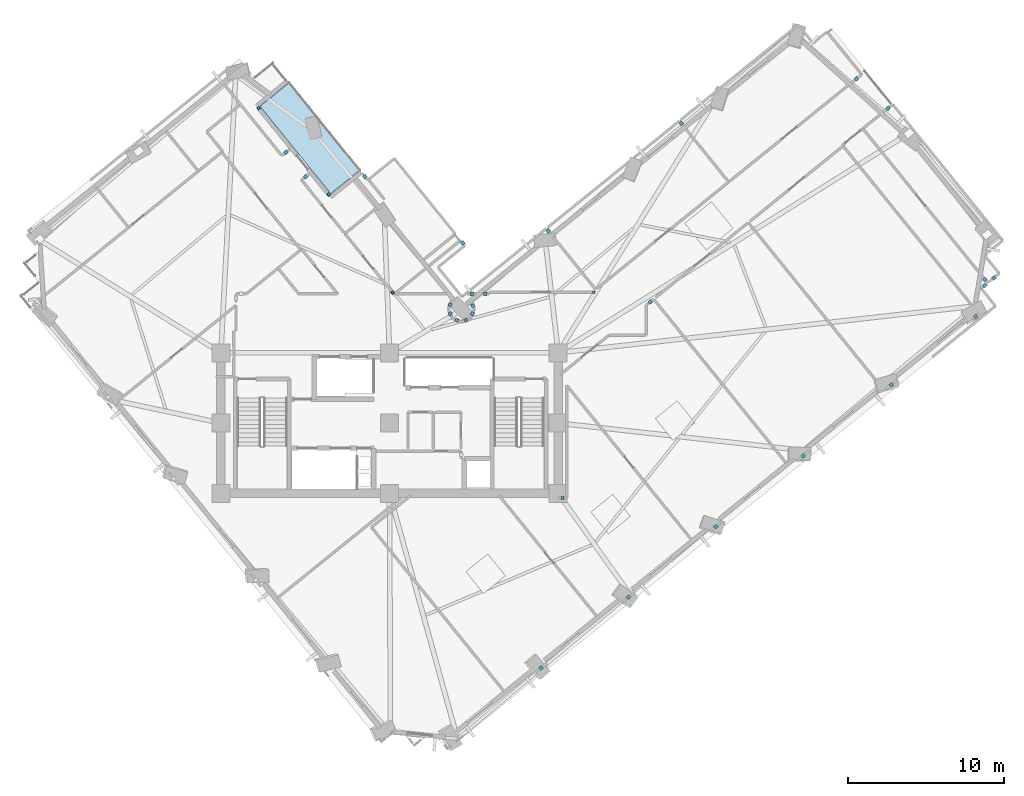
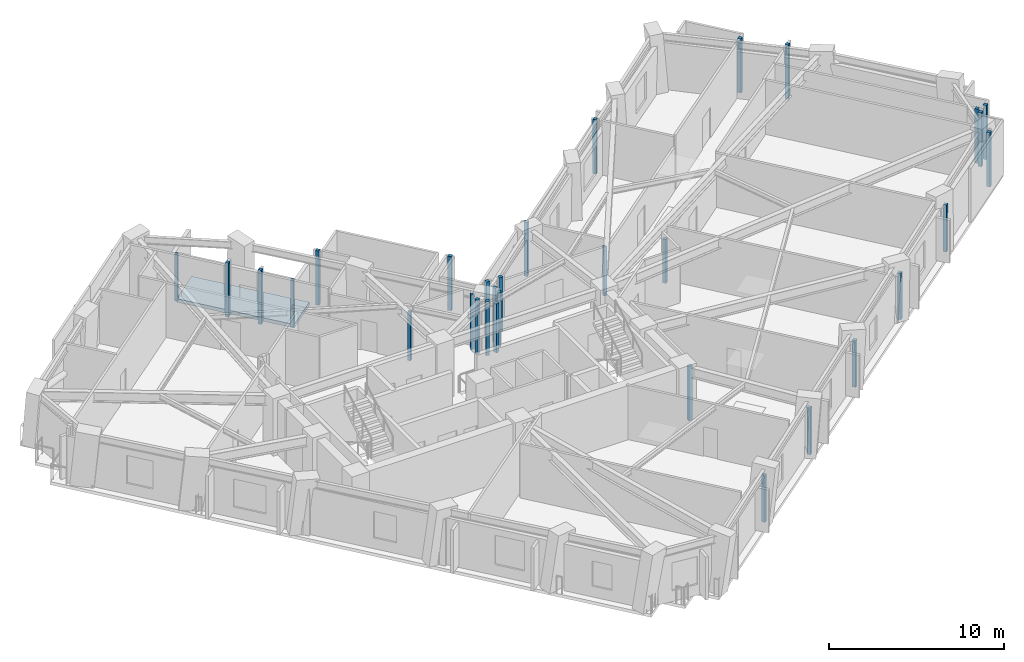
# One storey, part 4 of 14: 31 plates, 1 slab.
"""IFC4 building model written with IfcOpenShell, lengths in metres."""

from ifc_helpers import new_model, si_unit, direction, frame, origin, origin_2d, place, context, subcontext, project, spatial, polyline, rectangle, outline, extrude, material, layer, layer_set, type_object, element, save


model = new_model("IFC4")

# Units and contexts
model_context = context("Model", 3, precision=1e-05, world=origin(), true_north=direction((0.0, 1.0)))
body_context = subcontext(model_context, "Body", "Model", "MODEL_VIEW")
ifc_project = project(units=[si_unit("LENGTHUNIT", "METRE"), si_unit("AREAUNIT", "SQUARE_METRE"), si_unit("VOLUMEUNIT", "CUBIC_METRE"), si_unit("PLANEANGLEUNIT", "RADIAN"), si_unit("MASSUNIT", "GRAM", prefix="KILO")], contexts=[model_context])

# Site, building, storey
site_placement = place(None, origin())
site = spatial("IfcSite", under=ifc_project, at=site_placement, CompositionType="ELEMENT")
building_placement = place(site_placement, origin())
building = spatial("IfcBuilding", under=site, at=building_placement, Name="Gaonmaruhae Medical Tower", CompositionType="ELEMENT")
storey_placement = place(building_placement, frame((0.0, 0.0, 189.800048828125)))
storey = spatial("IfcBuildingStorey", under=building, at=storey_placement, Name="L45", CompositionType="ELEMENT", Elevation=189.800048828125)

# Plates
ifc_material_1 = material(Name="Anodised aluminium 6063-T6", Category="aluminium")
ifc_layer_1 = layer(ifc_material_1, 0.011962890625)
ifc_layer_set_1 = layer_set([ifc_layer_1], Name="Anodised aluminium 6063-T6")
plate_type = type_object("IfcPlateType", Name="PP-01 Interior Partition Corner Stiffener Plate", PredefinedType="SHEET", material=ifc_layer_set_1)
for number, where, z_axis, x_axis, name in (
    (1, (16.42236328125, 32.465576171875, 0.0), (0.0, 0.0, 1.0), (0.628655536959, -0.777683879125, 0.0), "L45 Partition End Jamb Post Plate PLT-L45-ENDP-TERB-0"),
    (2, (20.8984375, 26.928466796875, 0.0), (0.0, 0.0, 1.0), (0.628655536959, -0.777683879125, 0.0), "L45 Partition End Jamb Post Plate PLT-L45-ENDP-TERB-1"),
):
    element("IfcPlate", number, at=place(storey_placement, frame(where, z_axis=z_axis, x_axis=x_axis)), inside=storey, type_object=plate_type, Name=name, PredefinedType="SHEET", context=body_context, shape_type="SweptSolid", body=[
        extrude(rectangle(XDim=0.179931640625, YDim=0.179931640625, at=origin_2d()), origin(), (0.0, 0.0, 1.0), 3.264892578125),
    ])
for number, where, z_axis, x_axis, name in (
    (3, (37.873046875, 20.679931640625, 0.0), (0.0, 0.0, 1.0), (-1.0, 0.0, 0.0), "L45 Partition End Jamb Post Plate PLT-L45-ENDP-PW050-0"),
    (4, (24.997314453125, 20.648681640625, 0.0), (0.0, 0.0, 1.0), (-0.628587668844, 0.777738736709, 0.0), "L45 Partition End Jamb Post Plate PLT-L45-ENDP-PW077-0"),
):
    element("IfcPlate", number, at=place(storey_placement, frame(where, z_axis=z_axis, x_axis=x_axis)), inside=storey, type_object=plate_type, Name=name, PredefinedType="SHEET", context=body_context, shape_type="SweptSolid", body=[
        extrude(rectangle(XDim=0.179931640625, YDim=0.179931640625, at=origin_2d()), origin(), (0.0, 0.0, 1.0), 3.4150390625),
    ])
for number, where, z_axis, x_axis, name in (
    (5, (34.5, -3.37890625, 0.0), (0.0, 0.0, 1.0), (-0.777782618511, -0.628533370905, 0.0), "L45 Partition Corner Stiffener Plate PLT-L45-JGP-PW008"),
    (6, (40.09912109375, 1.1474609375, 0.0), (0.0, 0.0, 1.0), (-0.778166422558, -0.6280581333, 0.0), "L45 Partition Corner Stiffener Plate PLT-L45-JGP-PW013"),
):
    element("IfcPlate", number, at=place(storey_placement, frame(where, z_axis=z_axis, x_axis=x_axis)), inside=storey, type_object=plate_type, Name=name, PredefinedType="SHEET", context=body_context, shape_type="SweptSolid", body=[
        extrude(rectangle(XDim=0.219970703125, YDim=0.219970703125, at=origin_2d()), origin(), (0.0, 0.0, 1.0), 3.264892578125),
    ])
plate_1_placement = place(storey_placement, frame((35.875, 7.5, 0.0), z_axis=(0.0, 0.0, 1.0), x_axis=(1.0, 0.0, 0.0)))
element("IfcPlate", 7, at=plate_1_placement, inside=storey, type_object=plate_type, Name="L45 Partition Corner Stiffener Plate PLT-L45-JGP-PW014", PredefinedType="SHEET", context=body_context, shape_type="SweptSolid", body=[
    extrude(rectangle(XDim=0.219970703125, YDim=0.219970703125, at=origin_2d()), origin(), (0.0, 0.0, 1.0), 3.780029296875),
])
plate_2_placement = place(storey_placement, frame((41.490966796875, 20.055419921875, 0.0), z_axis=(0.0, 0.0, 1.0), x_axis=(0.777607068559, 0.628750544276, 0.0)))
element("IfcPlate", 8, at=plate_2_placement, inside=storey, type_object=plate_type, Name="L45 Partition Corner Stiffener Plate PLT-L45-JGP-PW017", PredefinedType="SHEET", context=body_context, shape_type="SweptSolid", body=[
    extrude(rectangle(XDim=0.219970703125, YDim=0.219970703125, at=origin_2d()), origin(), (0.0, 0.0, 1.0), 3.06494140625),
])
for number, where, z_axis, x_axis, name in (
    (9, (45.698486328125, 5.673095703125, 0.0), (0.0, 0.0, 1.0), (-0.777310690516, -0.629116913149, 0.0), "L45 Partition Corner Stiffener Plate PLT-L45-JGP-PW019"),
    (10, (51.297119140625, 10.198974609375, 0.0), (0.0, 0.0, 1.0), (-0.777903273921, -0.62838403578, 0.0), "L45 Partition Corner Stiffener Plate PLT-L45-JGP-PW024"),
):
    element("IfcPlate", number, at=place(storey_placement, frame(where, z_axis=z_axis, x_axis=x_axis)), inside=storey, type_object=plate_type, Name=name, PredefinedType="SHEET", context=body_context, shape_type="SweptSolid", body=[
        extrude(rectangle(XDim=0.219970703125, YDim=0.219970703125, at=origin_2d()), origin(), (0.0, 0.0, 1.0), 3.264892578125),
    ])
plate_3_placement = place(storey_placement, frame((62.333984375, 19.12109375, 0.0), z_axis=(0.0, 0.0, 1.0), x_axis=(-0.777156945051, -0.629306827198, 0.0)))
element("IfcPlate", 11, at=plate_3_placement, inside=storey, type_object=plate_type, Name="L45 Partition Corner Stiffener Plate PLT-L45-JGP-PW027", PredefinedType="SHEET", context=body_context, shape_type="SweptSolid", body=[
    extrude(rectangle(XDim=0.219970703125, YDim=0.219970703125, at=origin_2d()), origin(), (0.0, 0.0, 1.0), 3.780029296875),
])
plate_4_placement = place(storey_placement, frame((56.93603515625, 14.757568359375, 0.0), z_axis=(0.0, 0.0, 1.0), x_axis=(-0.777376567223, -0.629035509914, 0.0)))
element("IfcPlate", 12, at=plate_4_placement, inside=storey, type_object=plate_type, Name="L45 Partition Corner Stiffener Plate PLT-L45-JGP-PW028", PredefinedType="SHEET", context=body_context, shape_type="SweptSolid", body=[
    extrude(rectangle(XDim=0.219970703125, YDim=0.219970703125, at=origin_2d()), origin(), (0.0, 0.0, 1.0), 3.264892578125),
])
for number, where, z_axis, x_axis, name in (
    (13, (34.973388671875, 24.60205078125, 0.0), (0.0, 0.0, 1.0), (0.628343303998, -0.777936174966, 0.0), "L45 Partition Corner Stiffener Plate PLT-L45-JGP-PW048"),
    (14, (30.939453125, 20.580078125, 0.0), (0.0, 0.0, 1.0), (-1.0, 0.0, 0.0), "L45 Partition Corner Stiffener Plate PLT-L45-JGP-PW051"),
    (15, (30.071044921875, 20.5791015625, 0.0), (0.0, 0.0, 1.0), (-1.0, 0.0, 0.0), "L45 Partition Corner Stiffener Plate PLT-L45-JGP-PW052"),
    (16, (30.139404296875, 19.821044921875, 0.0), (0.0, 0.0, 1.0), (0.383151000779, -0.923685720688, 0.0), "L45 Partition Corner Stiffener Plate PLT-L45-JGP-PW053"),
    (17, (30.109619140625, 19.302978515625, 0.0), (0.0, 0.0, 1.0), (-0.383505642381, -0.923538533177, 0.0), "L45 Partition Corner Stiffener Plate PLT-L45-JGP-PW054"),
):
    element("IfcPlate", number, at=place(storey_placement, frame(where, z_axis=z_axis, x_axis=x_axis)), inside=storey, type_object=plate_type, Name=name, PredefinedType="SHEET", context=body_context, shape_type="SweptSolid", body=[
        extrude(rectangle(XDim=0.219970703125, YDim=0.219970703125, at=origin_2d()), origin(), (0.0, 0.0, 1.0), 3.780029296875),
    ])
plate_5_placement = place(storey_placement, frame((29.6923828125, 18.885986328125, 0.0), z_axis=(0.0, 0.0, 1.0), x_axis=(-0.923866173777, -0.382715681611, 0.0)))
element("IfcPlate", 18, at=plate_5_placement, inside=storey, type_object=plate_type, Name="L45 Partition Corner Stiffener Plate PLT-L45-JGP-PW055", PredefinedType="SHEET", context=body_context, shape_type="SweptSolid", body=[
    extrude(rectangle(XDim=0.219970703125, YDim=0.219970703125, at=origin_2d()), origin(), (0.0, 0.0, 1.0), 3.4150390625),
])
for number, where, z_axis, x_axis, name in (
    (19, (29.10302734375, 18.885986328125, 0.0), (0.0, 0.0, 1.0), (-0.924093119157, 0.382167381036, 0.0), "L45 Partition Corner Stiffener Plate PLT-L45-JGP-PW056"),
    (20, (28.68603515625, 19.302978515625, 0.0), (0.0, 0.0, 1.0), (-0.382167381036, 0.924093119157, 0.0), "L45 Partition Corner Stiffener Plate PLT-L45-JGP-PW057"),
    (21, (28.677490234375, 19.87255859375, 0.0), (0.0, 0.0, 1.0), (0.382102866234, 0.924119797221, 0.0), "L45 Partition Corner Stiffener Plate PLT-L45-JGP-PW058"),
    (22, (29.49755859375, 23.830078125, 0.0), (0.0, 0.0, 1.0), (0.628750544276, -0.777607068559, 0.0), "L45 Partition Corner Stiffener Plate PLT-L45-JGP-PW062"),
    (23, (43.488037109375, 31.484619140625, 0.0), (0.0, 0.0, 1.0), (0.62860124285, -0.777727765666, 0.0), "L45 Partition Corner Stiffener Plate PLT-L45-JGP-PW066"),
    (24, (54.69189453125, 34.339599609375, 0.0), (0.0, 0.0, 1.0), (-0.777639988794, -0.628709828004, 0.0), "L45 Partition Corner Stiffener Plate PLT-L45-JGP-PW070"),
    (25, (19.42138671875, 28.074951171875, 0.0), (0.0, 0.0, 1.0), (0.777629015619, 0.628723400286, 0.0), "L45 Partition Corner Stiffener Plate PLT-L45-JGP-PW080"),
    (26, (23.22802734375, 28.08740234375, 0.0), (0.0, 0.0, 1.0), (0.628207518952, -0.778045829712, 0.0), "L45 Partition Corner Stiffener Plate PLT-L45-JGP-PW081"),
    (27, (18.16455078125, 29.6298828125, 0.0), (0.0, 0.0, 1.0), (-0.777629015619, -0.628723400286, 0.0), "L45 Partition Corner Stiffener Plate PLT-L45-JGP-PW083"),
    (28, (62.902099609375, 21.097412109375, 0.0), (0.0, 0.0, 1.0), (-0.777288729719, -0.629144046027, 0.0), "L45 Partition Corner Stiffener Plate PLT-L45-JGP-PW100"),
    (29, (62.91796875, 21.491455078125, 0.0), (0.0, 0.0, 1.0), (0.627976640459, -0.778232188385, 0.0), "L45 Partition Corner Stiffener Plate PLT-L45-JGP-PW105"),
    (30, (63.508544921875, 21.58740234375, 0.0), (0.0, 0.0, 1.0), (-0.777145961457, -0.62932039105, 0.0), "L45 Partition Corner Stiffener Plate PLT-L45-JGP-PW107"),
    (31, (56.718994140625, 32.45556640625, 0.0), (0.0, 0.0, 1.0), (0.777387545845, 0.629021942038, 0.0), "L45 Partition Corner Stiffener Plate PLT-L45-JGP-PW109"),
):
    element("IfcPlate", number, at=place(storey_placement, frame(where, z_axis=z_axis, x_axis=x_axis)), inside=storey, type_object=plate_type, Name=name, PredefinedType="SHEET", context=body_context, shape_type="SweptSolid", body=[
        extrude(rectangle(XDim=0.219970703125, YDim=0.219970703125, at=origin_2d()), origin(), (0.0, 0.0, 1.0), 3.780029296875),
    ])

# Slab
ifc_material_2 = material(Name="Concrete C40/50", Category="concrete")
ifc_layer_2 = layer(ifc_material_2, 0.239990234375)
ifc_layer_set_2 = layer_set([ifc_layer_2], Name="Concrete C40/50")
slab_type = type_object("IfcSlabType", Name="TS-240 Sky Garden & Recovery Terrace Slab", PredefinedType="FLOOR", material=ifc_layer_set_2)
slab_placement = place(storey_placement, frame((0.0, 0.0, -0.239990234375)))
element("IfcSlab", 32, at=slab_placement, inside=storey, type_object=slab_type, Name="L45 Outdoor Recovery Terrace Slab", PredefinedType="FLOOR", context=body_context, shape_type="SweptSolid", body=[
    extrude(outline(polyline([(21.032470703125, 26.9853515625), (22.89892578125, 28.494140625), (18.37255859375, 34.093505859375), (16.506103515625, 32.584716796875), (21.032470703125, 26.9853515625)])), origin(), (0.0, 0.0, 1.0), 0.239990234375),
])

save(model, "model.ifc")
